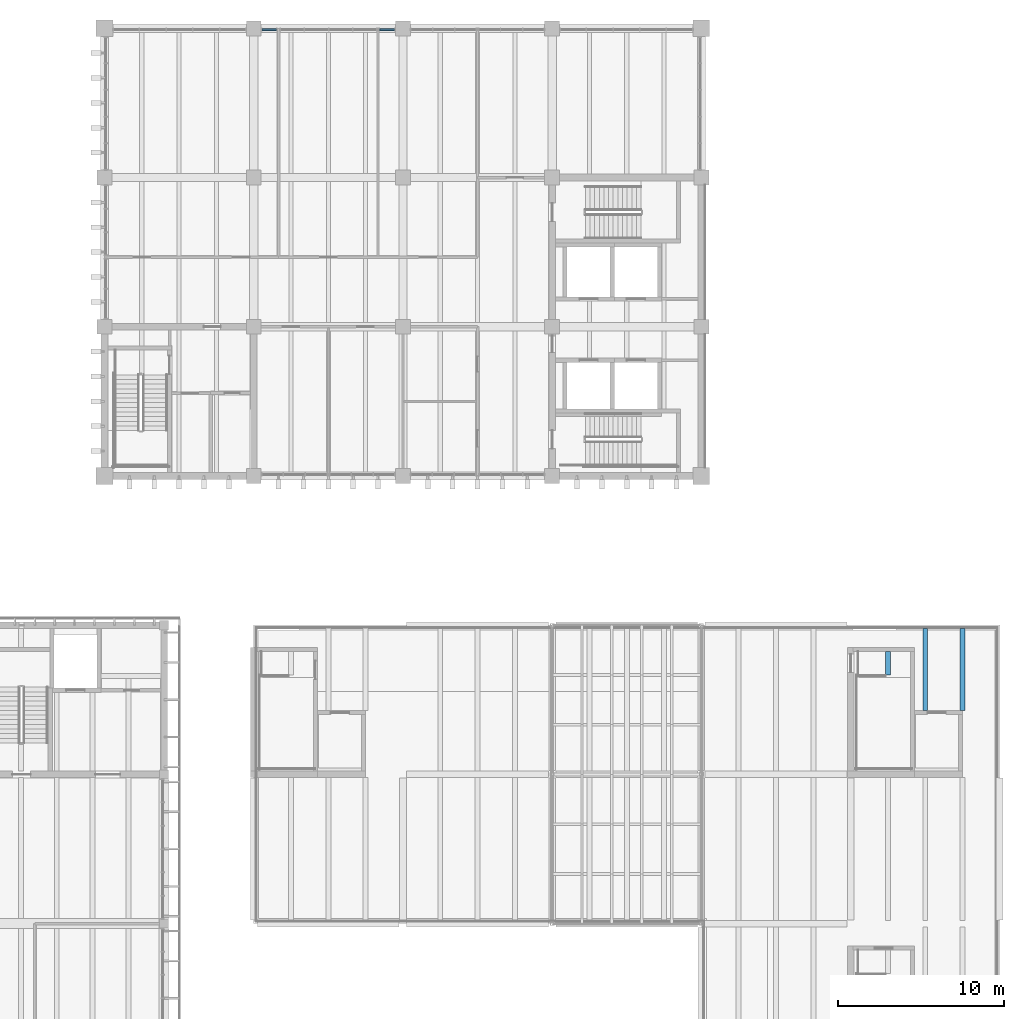
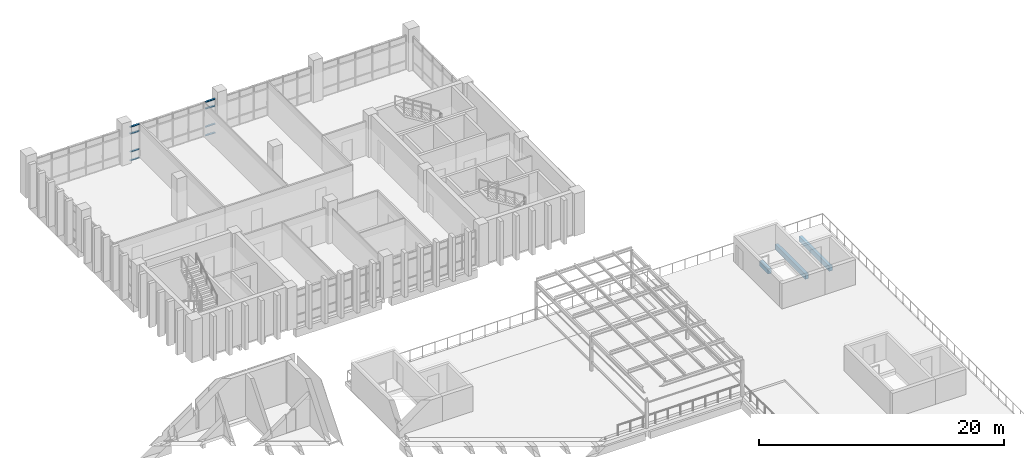
# One storey, part 29 of 74: 8 members, 3 beams, 2 elements without a shape of their own.
"""IFC4 building model written with IfcOpenShell, lengths in metres."""

from ifc_helpers import new_model, si_unit, direction, frame, origin, origin_2d, place, context, subcontext, project, spatial, rectangle, extrude, material, material_profile, profile_set, type_object, element, aggregate, save


model = new_model("IFC4")

# Units and contexts
model_context = context("Model", 3, precision=1e-05, world=origin(), true_north=direction((0.0, 1.0)))
body_context = subcontext(model_context, "Body", "Model", "MODEL_VIEW")
ifc_project = project(units=[si_unit("LENGTHUNIT", "METRE"), si_unit("AREAUNIT", "SQUARE_METRE"), si_unit("VOLUMEUNIT", "CUBIC_METRE"), si_unit("PLANEANGLEUNIT", "RADIAN"), si_unit("MASSUNIT", "GRAM", prefix="KILO")], contexts=[model_context])

# Site, building, storey
site_placement = place(None, origin())
site = spatial("IfcSite", under=ifc_project, at=site_placement, CompositionType="ELEMENT")
building_placement = place(site_placement, origin())
building = spatial("IfcBuilding", under=site, at=building_placement, Name="Merrow Basin Faculty of Sciences", CompositionType="ELEMENT")
storey_placement = place(building_placement, frame((0.0, 0.0, 13.5)))
storey = spatial("IfcBuildingStorey", under=building, at=storey_placement, Name="L03", CompositionType="ELEMENT", Elevation=13.5)

# Curtain wall, members
ifc_material_1 = material(Name="Aluminium alloy 6063", Category="aluminium")
curtain_wall_type = type_object("IfcCurtainWallType", Name="Unitised curtain wall 160", PredefinedType="NOTDEFINED", material=ifc_material_1)
curtain_wall_1_placement = place(storey_placement, origin())
curtain_wall_1 = element("IfcCurtainWall", 1, at=curtain_wall_1_placement, inside=storey, type_object=curtain_wall_type, Name="N curtain wall L03 2", PredefinedType="NOTDEFINED")
ifc_material_2 = material(Name="Aluminium alloy 6063", Category="aluminium")
ifc_material_profile_1 = material_profile(ifc_material_2, rectangle(XDim=0.1201171875, YDim=0.06005859375, at=origin_2d()))
ifc_profile_set_1 = profile_set([ifc_material_profile_1], Name="Aluminium alloy 6063")
member_type = type_object("IfcMemberType", Name="Aluminium transom 60x120", PredefinedType="USERDEFINED", material=ifc_profile_set_1)
member_1_placement = place(storey_placement, frame((27.510009765625, 168.919921875, 0.030029296875), z_axis=(1.0, 0.0, 0.0), x_axis=(0.0, 1.0, 0.0)))
member_1 = element("IfcMember", 2, at=member_1_placement, type_object=member_type, Name="CW3 transom 1.1", ObjectType="TRANSOM", PredefinedType="USERDEFINED", context=body_context, shape_type="SweptSolid", body=[
    extrude(rectangle(XDim=0.1201171875, YDim=0.06005859375, at=origin_2d()), origin(), (0.0, 0.0, 1.0), 0.85498046875),
])
member_2_placement = place(storey_placement, frame((27.510009765625, 168.919921875, 0.89990234375), z_axis=(1.0, 0.0, 0.0), x_axis=(0.0, 1.0, 0.0)))
member_2 = element("IfcMember", 3, at=member_2_placement, type_object=member_type, Name="CW3 transom 1.2", ObjectType="TRANSOM", PredefinedType="USERDEFINED", context=body_context, shape_type="SweptSolid", body=[
    extrude(rectangle(XDim=0.1201171875, YDim=0.06005859375, at=origin_2d()), origin(), (0.0, 0.0, 1.0), 0.85498046875),
])
member_3_placement = place(storey_placement, frame((27.510009765625, 168.919921875, 2.699951171875), z_axis=(1.0, 0.0, 0.0), x_axis=(0.0, 1.0, 0.0)))
member_3 = element("IfcMember", 4, at=member_3_placement, type_object=member_type, Name="CW3 transom 1.3", ObjectType="TRANSOM", PredefinedType="USERDEFINED", context=body_context, shape_type="SweptSolid", body=[
    extrude(rectangle(XDim=0.1201171875, YDim=0.06005859375, at=origin_2d()), origin(), (0.0, 0.0, 1.0), 0.85498046875),
])
member_4_placement = place(storey_placement, frame((27.510009765625, 168.919921875, 3.3701171875), z_axis=(1.0, 0.0, 0.0), x_axis=(0.0, 1.0, 0.0)))
member_4 = element("IfcMember", 5, at=member_4_placement, type_object=member_type, Name="CW3 transom 1.4", ObjectType="TRANSOM", PredefinedType="USERDEFINED", context=body_context, shape_type="SweptSolid", body=[
    extrude(rectangle(XDim=0.1201171875, YDim=0.06005859375, at=origin_2d()), origin(), (0.0, 0.0, 1.0), 0.85498046875),
])
aggregate(curtain_wall_1, [member_1, member_2, member_3, member_4])

curtain_wall_2_placement = place(storey_placement, origin())
curtain_wall_2 = element("IfcCurtainWall", 6, at=curtain_wall_2_placement, inside=storey, type_object=curtain_wall_type, Name="N curtain wall L03 4", PredefinedType="NOTDEFINED")
member_5_placement = place(storey_placement, frame((34.610107421875, 168.919921875, 0.030029296875), z_axis=(1.0, 0.0, 0.0), x_axis=(0.0, 1.0, 0.0)))
member_5 = element("IfcMember", 7, at=member_5_placement, type_object=member_type, Name="CW3 transom 1.1", ObjectType="TRANSOM", PredefinedType="USERDEFINED", context=body_context, shape_type="SweptSolid", body=[
    extrude(rectangle(XDim=0.1201171875, YDim=0.06005859375, at=origin_2d()), origin(), (0.0, 0.0, 1.0), 0.8798828125),
])
member_6_placement = place(storey_placement, frame((34.610107421875, 168.919921875, 0.89990234375), z_axis=(1.0, 0.0, 0.0), x_axis=(0.0, 1.0, 0.0)))
member_6 = element("IfcMember", 8, at=member_6_placement, type_object=member_type, Name="CW3 transom 1.2", ObjectType="TRANSOM", PredefinedType="USERDEFINED", context=body_context, shape_type="SweptSolid", body=[
    extrude(rectangle(XDim=0.1201171875, YDim=0.06005859375, at=origin_2d()), origin(), (0.0, 0.0, 1.0), 0.8798828125),
])
member_7_placement = place(storey_placement, frame((34.610107421875, 168.919921875, 2.699951171875), z_axis=(1.0, 0.0, 0.0), x_axis=(0.0, 1.0, 0.0)))
member_7 = element("IfcMember", 9, at=member_7_placement, type_object=member_type, Name="CW3 transom 1.3", ObjectType="TRANSOM", PredefinedType="USERDEFINED", context=body_context, shape_type="SweptSolid", body=[
    extrude(rectangle(XDim=0.1201171875, YDim=0.06005859375, at=origin_2d()), origin(), (0.0, 0.0, 1.0), 0.8798828125),
])
member_8_placement = place(storey_placement, frame((34.610107421875, 168.919921875, 3.3701171875), z_axis=(1.0, 0.0, 0.0), x_axis=(0.0, 1.0, 0.0)))
member_8 = element("IfcMember", 10, at=member_8_placement, type_object=member_type, Name="CW3 transom 1.4", ObjectType="TRANSOM", PredefinedType="USERDEFINED", context=body_context, shape_type="SweptSolid", body=[
    extrude(rectangle(XDim=0.1201171875, YDim=0.06005859375, at=origin_2d()), origin(), (0.0, 0.0, 1.0), 0.8798828125),
])
aggregate(curtain_wall_2, [member_5, member_6, member_7, member_8])

# Beams
ifc_material_3 = material(Name="Concrete C40/50", Category="concrete")
ifc_material_profile_2 = material_profile(ifc_material_3, rectangle(XDim=0.300048828125, YDim=0.5, at=origin_2d()))
ifc_profile_set_2 = profile_set([ifc_material_profile_2], Name="Concrete C40/50")
beam_type = type_object("IfcBeamType", Name="Terrace roof joist RC300x500 C40/50", PredefinedType="BEAM", material=ifc_profile_set_2)
beam_placement = place(storey_placement, frame((65.25, 130.0, -0.60009765625), z_axis=(0.0, 1.0, 0.0), x_axis=(-1.0, 0.0, 0.0)))
element("IfcBeam", 11, at=beam_placement, inside=storey, type_object=beam_type, Name="JD1 L03 116", PredefinedType="BEAM", context=body_context, shape_type="SweptSolid", body=[
    extrude(rectangle(XDim=0.300048828125, YDim=0.5, at=origin_2d()), origin(), (0.0, 0.0, 1.0), 1.39990234375),
])
for number, where, z_axis, x_axis, name in (
    (12, (67.5, 127.85009765625, -0.60009765625), (0.0, 1.0, 0.0), (-1.0, 0.0, 0.0), "JD1 L03 117"),
    (13, (69.75, 127.85009765625, -0.60009765625), (0.0, 1.0, 0.0), (-1.0, 0.0, 0.0), "JD1 L03 118"),
):
    element("IfcBeam", number, at=place(storey_placement, frame(where, z_axis=z_axis, x_axis=x_axis)), inside=storey, type_object=beam_type, Name=name, PredefinedType="BEAM", context=body_context, shape_type="SweptSolid", body=[
        extrude(rectangle(XDim=0.300048828125, YDim=0.5, at=origin_2d()), origin(), (0.0, 0.0, 1.0), 4.949951171875),
    ])

save(model, "model.ifc")
